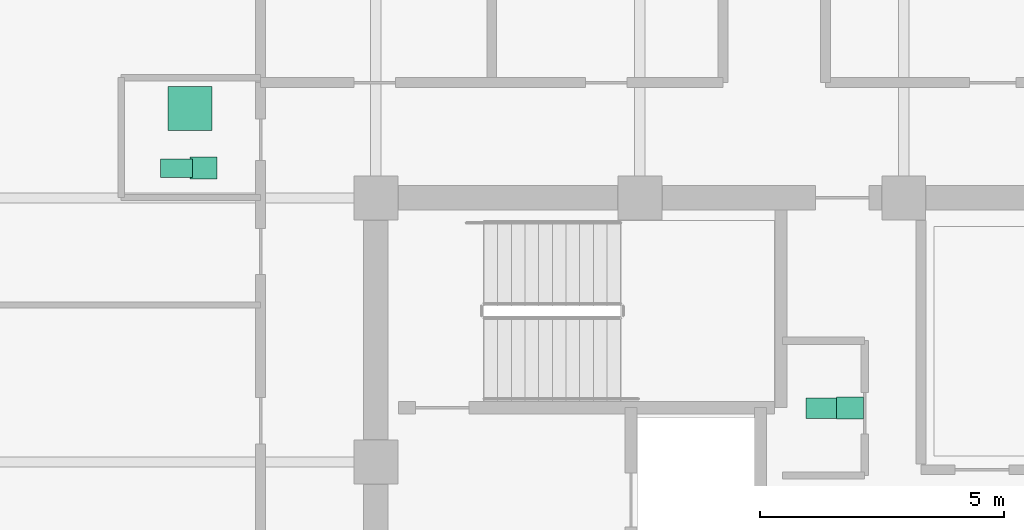
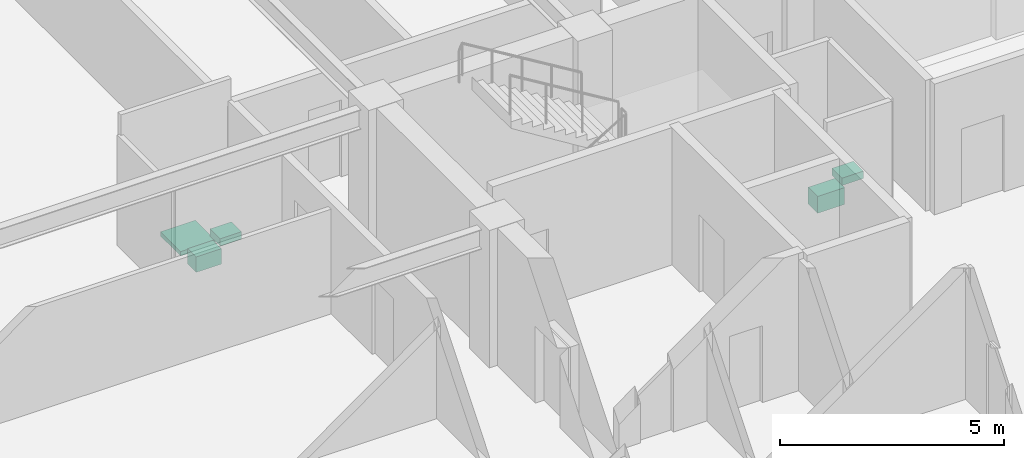
# One storey, part 31 of 31: 5 sanitary terminals.
"""IFC4 building model written with IfcOpenShell, lengths in metres."""

import ifcopenshell
import ifcopenshell.guid

model = None  # the IFC model being written
_history = None  # IfcOwnerHistory: only IFC2X3 demands one
_inside = {}  # id of a spatial element -> (the spatial element, [elements in it])
_under = {}  # id of a project, library or spatial element -> (it, [spatial elements below it])
_declared = {}  # id of a project -> (the project, [libraries it declares])
_typed = {}  # id of a type object -> (the type object, [elements of that type])
_made_of = {}  # id of a material, layer set ... -> (it, [elements and type objects made of it])


def new_model(schema):
    """Start an empty IFC model of exactly this schema.

    Asked for "IFC4X3", IfcOpenShell would pick the latest addendum, in which some entities
    have other attributes; the version numbers below select the first issue.
    IFC2X3 requires an IfcOwnerHistory on every rooted entity: one is made here for all.
    """
    global model, _history
    if schema == "IFC4X3":
        model = ifcopenshell.file(schema_version=(4, 3, 0, 0))
    else:
        model = ifcopenshell.file(schema=schema)
    _inside.clear()
    _under.clear()
    _declared.clear()
    _typed.clear()
    _made_of.clear()
    _history = None
    if model.schema == "IFC2X3":
        org = make("IfcOrganization", Name="unknown")
        user = make(
            "IfcPersonAndOrganization",
            ThePerson=make("IfcPerson", FamilyName="unknown"),
            TheOrganization=org,
        )
        app = make(
            "IfcApplication",
            ApplicationDeveloper=org,
            Version="unknown",
            ApplicationFullName="unknown",
            ApplicationIdentifier="unknown",
        )
        _history = make(
            "IfcOwnerHistory",
            OwningUser=user,
            OwningApplication=app,
            ChangeAction="ADDED",
            CreationDate=0,
        )
    return model


def make(cls, **values):
    """One entity of the class cls with the attributes given. An attribute that is None is left unset."""
    return model.create_entity(
        cls, **{name: value for name, value in values.items() if value is not None}
    )


def rooted(cls, **values):
    """An entity with a GlobalId (a new one), such as an element, a storey or a relation."""
    return make(cls, GlobalId=ifcopenshell.guid.new(), OwnerHistory=_history, **values)


def si_unit(unit_type, name, prefix=None):
    """IfcSIUnit, for example si_unit("LENGTHUNIT", "METRE", prefix="MILLI")."""
    return make("IfcSIUnit", UnitType=unit_type, Prefix=prefix, Name=name)


def assignment(units):
    """IfcUnitAssignment: the units of a project."""
    return None if units is None else make("IfcUnitAssignment", Units=units)


def point(xyz):
    """IfcCartesianPoint."""
    return None if xyz is None else make("IfcCartesianPoint", Coordinates=xyz)


def direction(xyz):
    """IfcDirection."""
    return None if xyz is None else make("IfcDirection", DirectionRatios=xyz)


def frame(location, z_axis=None, x_axis=None):
    """IfcAxis2Placement3D, a coordinate frame: its origin and axes. An axis left out is left unset."""
    return make(
        "IfcAxis2Placement3D",
        Location=point(location),
        Axis=direction(z_axis),
        RefDirection=direction(x_axis),
    )


def frame_2d(location, x_axis=None):
    """IfcAxis2Placement2D, a coordinate frame in the plane: its origin and x axis."""
    return make(
        "IfcAxis2Placement2D", Location=point(location), RefDirection=direction(x_axis)
    )


def origin():
    """The frame at (0, 0, 0) with its axes left unset."""
    return frame((0.0, 0.0, 0.0))


def origin_2d():
    """The frame at (0, 0) in the plane with its x axis left unset."""
    return frame_2d((0.0, 0.0))


def place(relative_to, where):
    """IfcLocalPlacement: puts the frame where relative to a parent placement (None: the world)."""
    return make(
        "IfcLocalPlacement", PlacementRelTo=relative_to, RelativePlacement=where
    )


def context(
    kind, dimensions, precision=None, world=None, true_north=None, identifier=None
):
    """IfcGeometricRepresentationContext, for example the 3D "Model" context."""
    return make(
        "IfcGeometricRepresentationContext",
        ContextIdentifier=identifier,
        ContextType=kind,
        CoordinateSpaceDimension=dimensions,
        Precision=precision,
        WorldCoordinateSystem=world,
        TrueNorth=true_north,
    )


def subcontext(parent, identifier, kind, view, scale=None):
    """IfcGeometricRepresentationSubContext, for example "Body" below "Model"."""
    return make(
        "IfcGeometricRepresentationSubContext",
        ContextIdentifier=identifier,
        ContextType=kind,
        ParentContext=parent,
        TargetScale=scale,
        TargetView=view,
    )


def project(units=None, contexts=None):
    """IfcProject with its units and contexts."""
    return rooted(
        "IfcProject",
        Name="project",
        RepresentationContexts=contexts,
        UnitsInContext=assignment(units),
    )


def spatial(cls, under=None, at=None, **own):
    """A site, building, storey or space (cls), placed at a placement, below another one or the project."""
    s = rooted(cls, ObjectPlacement=at, **own)
    if under is not None:
        _under.setdefault(under.id(), (under, []))[1].append(s)
    return s


def profile(cls, at=None, kind="AREA", **sizes):
    """A parametric profile (cls). Its sizes go by their IFC names, for example OverallWidth=200.0."""
    return make(cls, ProfileType=kind, Position=at, **sizes)


def rectangle(**sizes):
    """IfcRectangleProfileDef."""
    return profile("IfcRectangleProfileDef", **sizes)


def extrude(swept, where, along, depth):
    """IfcExtrudedAreaSolid: the profile swept, set in the frame where, extruded along a direction by depth."""
    return make(
        "IfcExtrudedAreaSolid",
        SweptArea=swept,
        Position=where,
        ExtrudedDirection=direction(along),
        Depth=depth,
    )


def shape(context_of_items, identifier, shape_type, items):
    """IfcShapeRepresentation: the items that make up one representation, for example the "Body"."""
    return make(
        "IfcShapeRepresentation",
        ContextOfItems=context_of_items,
        RepresentationIdentifier=identifier,
        RepresentationType=shape_type,
        Items=items,
    )


def material(Name=None, Category=None):
    """IfcMaterial."""
    return make("IfcMaterial", Name=Name, Category=Category)


def made_of(thing, what):
    """Note that an element or type object is made of a material, layer set ...; save() writes the relation."""
    if what is not None:
        _made_of.setdefault(what.id(), (what, []))[1].append(thing)
    return thing


def type_object(cls, material=None, **own):
    """A type object (cls), such as IfcWallType, which elements share."""
    return made_of(rooted(cls, **own), material)


def element(
    cls,
    number,
    at=None,
    inside=None,
    cuts=None,
    type_object=None,
    material=None,
    context=None,
    identifier="Body",
    shape_type=None,
    held_by="IfcProductDefinitionShape",
    body=None,
    shapes=None,
    **own,
):
    """One element of the class cls, such as IfcWall. Its Tag is "e" and its number.

    at: its placement. inside: the storey or other place that contains it. cuts: it is an
    opening in that element (IfcRelVoidsElement). A single representation is given by context,
    identifier, shape_type and body (its items); several are given by shapes. held_by: the class
    of the entity that holds the representations. save() writes the other relations.
    """
    e = rooted(cls, Tag="e%d" % number, ObjectPlacement=at, **own)
    if body is not None:
        shapes = [shape(context, identifier, shape_type, body)]
    if shapes is not None:
        e.Representation = make(held_by, Representations=shapes)
    if inside is not None:
        _inside.setdefault(inside.id(), (inside, []))[1].append(e)
    if cuts is not None:
        rooted(
            "IfcRelVoidsElement", RelatingBuildingElement=cuts, RelatedOpeningElement=e
        )
    if type_object is not None:
        _typed.setdefault(type_object.id(), (type_object, []))[1].append(e)
    return made_of(e, material)


def aggregate(whole, parts):
    """IfcRelAggregates: a whole, such as a stair, and the parts it consists of."""
    return rooted("IfcRelAggregates", RelatingObject=whole, RelatedObjects=parts)


def save(model, path):
    """Write the relations noted so far, then the file.

    IfcRelAggregates (storeys below a building ...), IfcRelContainedInSpatialStructure (elements
    in a storey), IfcRelDefinesByType, IfcRelAssociatesMaterial and IfcRelDeclares: one each for
    every whole, place, type object, material and project.
    """
    for whole, parts in _under.values():
        aggregate(whole, parts)
    for where, things in _inside.values():
        rooted(
            "IfcRelContainedInSpatialStructure",
            RelatedElements=things,
            RelatingStructure=where,
        )
    for kind, things in _typed.values():
        rooted("IfcRelDefinesByType", RelatedObjects=things, RelatingType=kind)
    for what, things in _made_of.values():
        rooted("IfcRelAssociatesMaterial", RelatedObjects=things, RelatingMaterial=what)
    for by, libraries in _declared.values():
        rooted("IfcRelDeclares", RelatingContext=by, RelatedDefinitions=libraries)
    model.write(path)


model = new_model("IFC4")

# Units and contexts
model_context = context("Model", 3, precision=1e-05, world=origin(), true_north=direction((0.0, 1.0)))
body_context = subcontext(model_context, "Body", "Model", "MODEL_VIEW")
ifc_project = project(units=[si_unit("LENGTHUNIT", "METRE"), si_unit("AREAUNIT", "SQUARE_METRE"), si_unit("VOLUMEUNIT", "CUBIC_METRE"), si_unit("PLANEANGLEUNIT", "RADIAN"), si_unit("MASSUNIT", "GRAM", prefix="KILO")], contexts=[model_context])

# Site, building, storey
site_placement = place(None, origin())
site = spatial("IfcSite", under=ifc_project, at=site_placement, CompositionType="ELEMENT")
building_placement = place(site_placement, origin())
building = spatial("IfcBuilding", under=site, at=building_placement, Name="Surkhivell Harbour Commons", CompositionType="ELEMENT")
storey_placement = place(building_placement, frame((0.0, 0.0, 285.0)))
storey = spatial("IfcBuildingStorey", under=building, at=storey_placement, Name="L74", CompositionType="ELEMENT", Elevation=285.0)

# Sanitary terminals
ifc_material_1 = material(Name="Vitreous china washbasin", Category="other")
sanitary_terminal_type_1 = type_object("IfcSanitaryTerminalType", Name="SAN-BSN", PredefinedType="WASHHANDBASIN", material=ifc_material_1)
for number, where, z_axis, x_axis, name in (
    (1, (-1.10009765625, 6.5, 0.72021484375), (0.0, 0.0, 1.0), (1.0, 0.0, 0.0), "L74 Core Accessible WC Washbasin"),
    (2, (-14.330078125, 11.409912109375, 0.72021484375), (0.0, 0.0, 1.0), (1.0, 0.0, 0.0), "L74 West Communal Bathroom WC Washbasin"),
):
    element("IfcSanitaryTerminal", number, at=place(storey_placement, frame(where, z_axis=z_axis, x_axis=x_axis)), inside=storey, type_object=sanitary_terminal_type_1, Name=name, PredefinedType="WASHHANDBASIN", context=body_context, shape_type="SweptSolid", body=[
        extrude(rectangle(XDim=0.550048828125, YDim=0.449951171875, at=origin_2d()), origin(), (0.0, 0.0, 1.0), 0.199951171875),
    ])
ifc_material_2 = material(Name="Glazed porcelain shower tray", Category="other")
sanitary_terminal_type_2 = type_object("IfcSanitaryTerminalType", Name="SAN-SHW", PredefinedType="SHOWER", material=ifc_material_2)
sanitary_terminal_1_placement = place(storey_placement, frame((-14.60009765625, 12.6298828125, 0.0), z_axis=(0.0, 0.0, 1.0), x_axis=(1.0, 0.0, 0.0)))
element("IfcSanitaryTerminal", 3, at=sanitary_terminal_1_placement, inside=storey, type_object=sanitary_terminal_type_2, Name="L74 West Communal Shower Tray", PredefinedType="SHOWER", context=body_context, shape_type="SweptSolid", body=[
    extrude(rectangle(XDim=0.89990234375, YDim=0.89990234375, at=origin_2d()), origin(), (0.0, 0.0, 1.0), 0.1201171875),
])
ifc_material_3 = material(Name="Vitreous china sanitaryware", Category="other")
sanitary_terminal_type_3 = type_object("IfcSanitaryTerminalType", Name="SAN-WC-ACC", PredefinedType="TOILETPAN", material=ifc_material_3)
sanitary_terminal_2_placement = place(storey_placement, frame((-1.64990234375, 6.5, 0.169921875), z_axis=(0.0, 0.0, 1.0), x_axis=(1.0, 0.0, 0.0)))
element("IfcSanitaryTerminal", 4, at=sanitary_terminal_2_placement, inside=storey, type_object=sanitary_terminal_type_3, Name="L74 Core Accessible WC", PredefinedType="TOILETPAN", context=body_context, shape_type="SweptSolid", body=[
    extrude(rectangle(XDim=0.699951171875, YDim=0.419921875, at=origin_2d()), origin(), (0.0, 0.0, 1.0), 0.4599609375),
])
sanitary_terminal_type_4 = type_object("IfcSanitaryTerminalType", Name="SAN-WC-STD", PredefinedType="TOILETPAN", material=ifc_material_3)
sanitary_terminal_3_placement = place(storey_placement, frame((-14.8798828125, 11.409912109375, 0.18994140625), z_axis=(0.0, 0.0, 1.0), x_axis=(1.0, 0.0, 0.0)))
element("IfcSanitaryTerminal", 5, at=sanitary_terminal_3_placement, inside=storey, type_object=sanitary_terminal_type_4, Name="L74 West Communal Bathroom WC", PredefinedType="TOILETPAN", context=body_context, shape_type="SweptSolid", body=[
    extrude(rectangle(XDim=0.64990234375, YDim=0.3798828125, at=origin_2d()), origin(), (0.0, 0.0, 1.0), 0.419921875),
])

save(model, "model.ifc")
